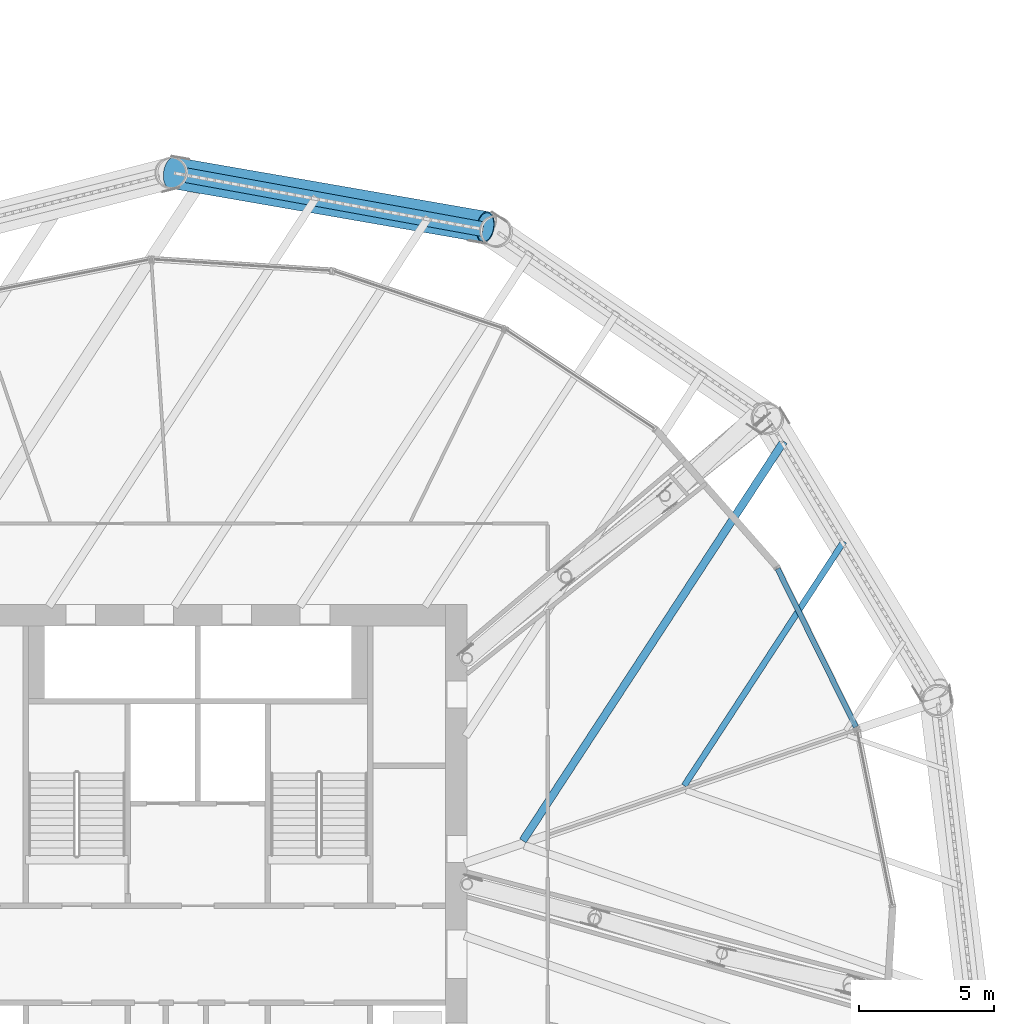
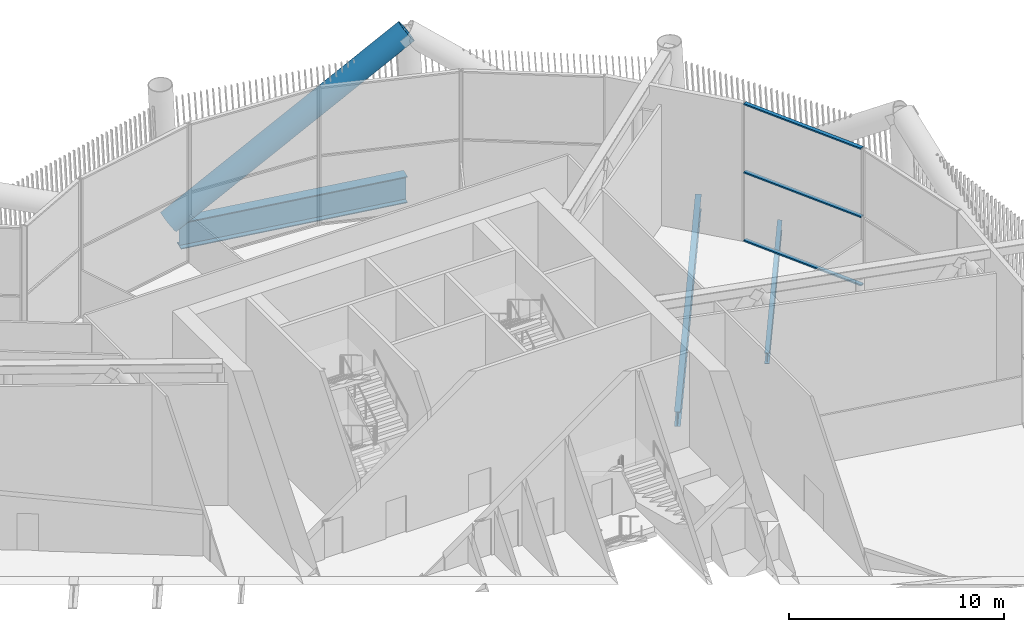
# One storey, part 35 of 63: 4 members, 3 beams, 1 element without a shape of its own.
"""IFC4 building model written with IfcOpenShell, lengths in metres."""

from ifc_helpers import new_model, si_unit, direction, frame, origin, origin_2d, place, context, subcontext, project, spatial, hollow_rectangle, hollow_circle, i_section, extrude, material, layer, layer_set, material_profile, profile_set, type_object, element, aggregate, save


model = new_model("IFC4")

# Units and contexts
model_context = context("Model", 3, precision=1e-05, world=origin(), true_north=direction((0.0, 1.0)))
body_context = subcontext(model_context, "Body", "Model", "MODEL_VIEW")
ifc_project = project(units=[si_unit("LENGTHUNIT", "METRE"), si_unit("AREAUNIT", "SQUARE_METRE"), si_unit("VOLUMEUNIT", "CUBIC_METRE"), si_unit("PLANEANGLEUNIT", "RADIAN"), si_unit("MASSUNIT", "GRAM", prefix="KILO")], contexts=[model_context])

# Site, building, storey
site_placement = place(None, origin())
site = spatial("IfcSite", under=ifc_project, at=site_placement, CompositionType="ELEMENT")
building_placement = place(site_placement, origin())
building = spatial("IfcBuilding", under=site, at=building_placement, Name="Tarsis Ring Headquarters", CompositionType="ELEMENT")
storey_placement = place(building_placement, frame((0.0, 0.0, 139.60009765625)))
storey = spatial("IfcBuildingStorey", under=building, at=storey_placement, Name="L32", CompositionType="ELEMENT", Elevation=139.60009765625)

# Curtain wall, members
ifc_material_1 = material(Name="Aluminium curtain wall", Category="aluminium")
ifc_layer = layer(ifc_material_1, 0.25)
ifc_layer_set = layer_set([ifc_layer], Name="Curtain wall sky lobby")
curtain_wall_type = type_object("IfcCurtainWallType", Name="Curtain wall sky lobby", PredefinedType="NOTDEFINED", material=ifc_layer_set)
curtain_wall_placement = place(storey_placement, origin())
curtain_wall = element("IfcCurtainWall", 1, at=curtain_wall_placement, inside=storey, type_object=curtain_wall_type, Name="Curtain wall L32-24", PredefinedType="NOTDEFINED")
ifc_material_2 = material(Name="Aluminium transom", Category="aluminium")
ifc_material_profile_1 = material_profile(ifc_material_2, hollow_rectangle(XDim=0.199951171875, YDim=0.080078125, WallThickness=0.0048828125, at=origin_2d()), Name="RHS 200x80x5")
ifc_profile_set_1 = profile_set([ifc_material_profile_1], Name="Aluminium transom")
member_type_1 = type_object("IfcMemberType", Name="Curtain wall transom sky lobby RHS 200x80x5", PredefinedType="USERDEFINED", material=ifc_profile_set_1)
member_1_placement = place(storey_placement, frame((24.44482421875, 8.44189453125, 0.039794921875), z_axis=(-0.443682684005, 0.896183952051, 0.0), x_axis=(-0.896183952051, -0.443682684005, 0.0)))
member_1 = element("IfcMember", 2, at=member_1_placement, type_object=member_type_1, Name="CW-S transom 1.1", ObjectType="TRANSOM", PredefinedType="USERDEFINED", context=body_context, shape_type="SweptSolid", body=[
    extrude(hollow_rectangle(XDim=0.199951171875, YDim=0.080078125, WallThickness=0.0048828125, at=origin_2d()), origin(), (0.0, 0.0, 1.0), 6.561279296875),
])
member_2_placement = place(storey_placement, frame((24.44482421875, 8.44189453125, 3.919921875), z_axis=(-0.443682684005, 0.896183952051, 0.0), x_axis=(-0.896183952051, -0.443682684005, 0.0)))
member_2 = element("IfcMember", 3, at=member_2_placement, type_object=member_type_1, Name="CW-S transom 1.2", ObjectType="TRANSOM", PredefinedType="USERDEFINED", context=body_context, shape_type="SweptSolid", body=[
    extrude(hollow_rectangle(XDim=0.199951171875, YDim=0.080078125, WallThickness=0.0048828125, at=origin_2d()), origin(), (0.0, 0.0, 1.0), 6.561279296875),
])
member_3_placement = place(storey_placement, frame((24.44482421875, 8.44189453125, 7.7998046875), z_axis=(-0.443682684005, 0.896183952051, 0.0), x_axis=(-0.896183952051, -0.443682684005, 0.0)))
member_3 = element("IfcMember", 4, at=member_3_placement, type_object=member_type_1, Name="CW-S transom 1.3", ObjectType="TRANSOM", PredefinedType="USERDEFINED", context=body_context, shape_type="SweptSolid", body=[
    extrude(hollow_rectangle(XDim=0.199951171875, YDim=0.080078125, WallThickness=0.0048828125, at=origin_2d()), origin(), (0.0, 0.0, 1.0), 6.561279296875),
])
aggregate(curtain_wall, [member_1, member_2, member_3])

# Beams
ifc_material_3 = material(Name="Structural steel S355", Category="steel")
ifc_material_profile_2 = material_profile(ifc_material_3, i_section(OverallWidth=0.228271484375, OverallDepth=0.607177734375, WebThickness=0.01123046875, FlangeThickness=0.017333984375, at=origin_2d()), Name="W24x76")
ifc_profile_set_2 = profile_set([ifc_material_profile_2], Name="Structural steel S355")
beam_type_1 = type_object("IfcBeamType", Name="FB Floor beam W24x76", PredefinedType="JOIST", material=ifc_profile_set_2)
beam_1_placement = place(storey_placement, frame((23.998046875, 15.338623046875, -0.603759765625), z_axis=(-0.546973839142, -0.837149699453, 0.0), x_axis=(0.837149699453, -0.546973839142, 0.0)))
element("IfcBeam", 5, at=beam_1_placement, inside=storey, type_object=beam_type_1, Name="Floor beam FB4", PredefinedType="JOIST", context=body_context, shape_type="SweptSolid", body=[
    extrude(i_section(OverallWidth=0.228271484375, OverallDepth=0.607177734375, WebThickness=0.01123046875, FlangeThickness=0.017333984375, at=origin_2d()), origin(), (0.0, 0.0, 1.0), 10.840087890625),
])
ifc_material_profile_3 = material_profile(ifc_material_3, i_section(OverallWidth=0.2919921875, OverallDepth=0.835693359375, WebThickness=0.013916015625, FlangeThickness=0.018798828125, at=origin_2d()), Name="W33x118")
ifc_profile_set_3 = profile_set([ifc_material_profile_3], Name="Structural steel S355")
beam_type_2 = type_object("IfcBeamType", Name="FB Floor beam W33x118", PredefinedType="JOIST", material=ifc_profile_set_3)
beam_2_placement = place(storey_placement, frame((21.765869140625, 19.05224609375, -0.718017578125), z_axis=(-0.546982058376, -0.837144329142, 0.0), x_axis=(0.837144329142, -0.546982058376, 0.0)))
element("IfcBeam", 6, at=beam_2_placement, inside=storey, type_object=beam_type_2, Name="Floor beam FB7", PredefinedType="JOIST", context=body_context, shape_type="SweptSolid", body=[
    extrude(i_section(OverallWidth=0.2919921875, OverallDepth=0.835693359375, WebThickness=0.013916015625, FlangeThickness=0.018798828125, at=origin_2d()), origin(), (0.0, 0.0, 1.0), 17.7197265625),
])

# Member
ifc_material_profile_4 = material_profile(ifc_material_3, hollow_circle(Radius=0.584228515625, WallThickness=0.044921875, at=origin_2d()), Name="CHS 1168x45")
ifc_profile_set_4 = profile_set([ifc_material_profile_4], Name="Structural steel S355")
member_type_2 = type_object("IfcMemberType", Name="TD Belt truss diagonal CHS 1168x45", PredefinedType="BRACE", material=ifc_profile_set_4)
member_4_placement = place(storey_placement, frame((-0.946533203125, 29.033203125, 0.0), z_axis=(0.815545635024, -0.141674706254, 0.561082520491), x_axis=(0.171154354177, 0.985244227106, 0.0)))
element("IfcMember", 7, at=member_4_placement, inside=storey, type_object=member_type_2, Name="Belt truss diagonal TD3", PredefinedType="BRACE", context=body_context, shape_type="SweptSolid", body=[
    extrude(hollow_circle(Radius=0.584228515625, WallThickness=0.044921875, at=origin_2d()), origin(), (0.0, 0.0, 1.0), 14.258056640625),
])

# Beam
ifc_material_profile_5 = material_profile(ifc_material_3, i_section(OverallWidth=0.550048828125, OverallDepth=1.5, WebThickness=0.030029296875, FlangeThickness=0.050048828125, at=origin_2d()), Name="PG 1500x550x30x50")
ifc_profile_set_5 = profile_set([ifc_material_profile_5], Name="Structural steel S355")
beam_type_3 = type_object("IfcBeamType", Name="XG Ring girder PG 1500x550x30x50", PredefinedType="BEAM", material=ifc_profile_set_5)
beam_3_placement = place(storey_placement, frame((10.58740234375, 26.936279296875, -0.75), z_axis=(-0.983875840068, 0.178852820301, 0.0), x_axis=(-0.178852820301, -0.983875840068, 0.0)))
element("IfcBeam", 8, at=beam_3_placement, inside=storey, type_object=beam_type_3, Name="Ring girder XG6", PredefinedType="BEAM", context=body_context, shape_type="SweptSolid", body=[
    extrude(i_section(OverallWidth=0.550048828125, OverallDepth=1.5, WebThickness=0.030029296875, FlangeThickness=0.050048828125, at=origin_2d()), origin(), (0.0, 0.0, 1.0), 11.197509765625),
])

save(model, "model.ifc")
